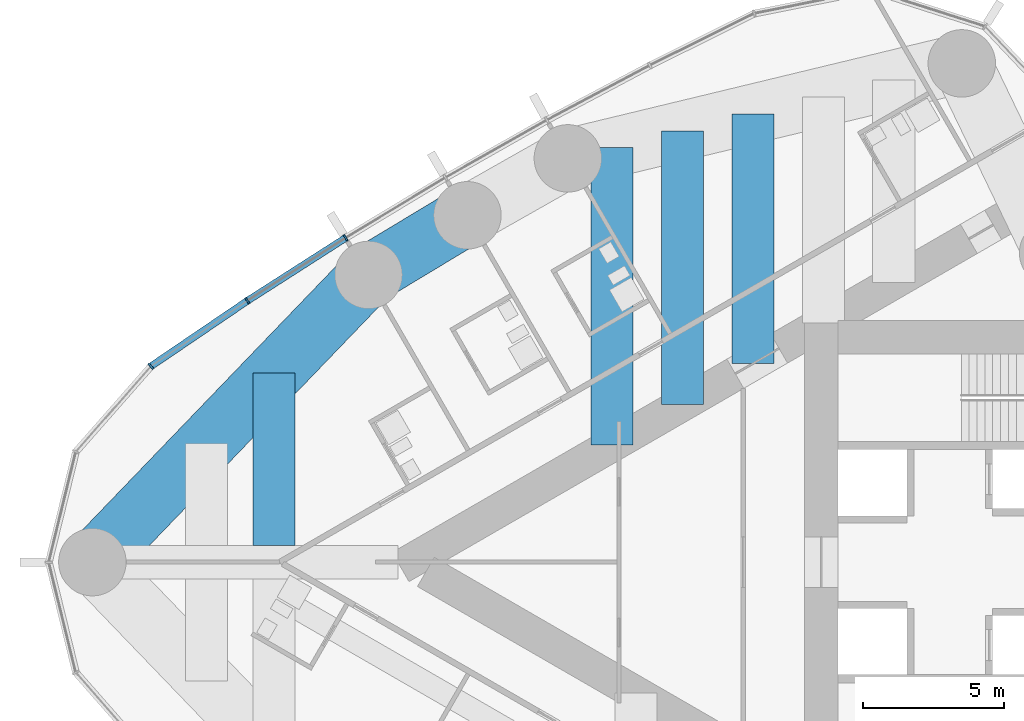
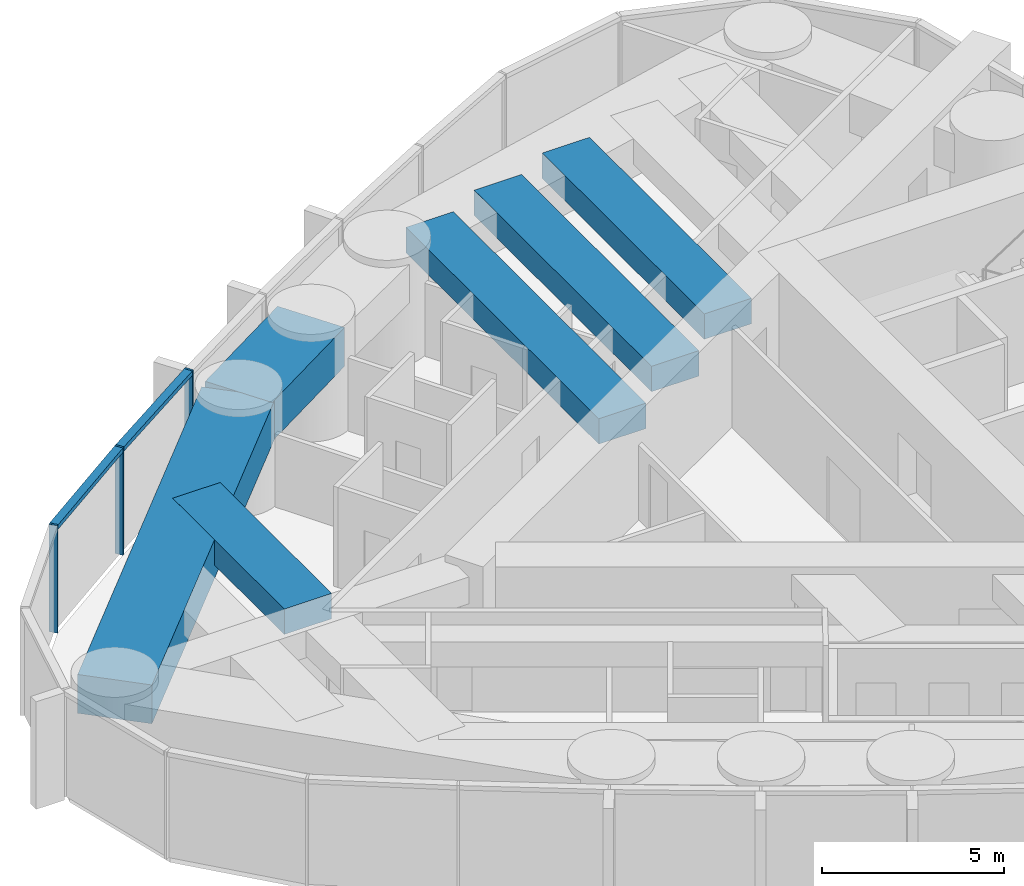
# One storey, part 3 of 23: 6 beams, 5 members, 1 element without a shape of its own.
"""IFC4 building model written with IfcOpenShell, lengths in metres."""

from ifc_helpers import new_model, si_unit, direction, frame, origin, origin_2d, place, context, subcontext, project, spatial, rectangle, extrude, material, material_profile, profile_set, type_object, element, aggregate, save


model = new_model("IFC4")

# Units and contexts
model_context = context("Model", 3, precision=1e-05, world=origin(), true_north=direction((0.0, 1.0)))
body_context = subcontext(model_context, "Body", "Model", "MODEL_VIEW")
ifc_project = project(units=[si_unit("LENGTHUNIT", "METRE"), si_unit("AREAUNIT", "SQUARE_METRE"), si_unit("VOLUMEUNIT", "CUBIC_METRE"), si_unit("PLANEANGLEUNIT", "RADIAN"), si_unit("MASSUNIT", "GRAM", prefix="KILO")], contexts=[model_context])

# Site, building, storey
site_placement = place(None, origin())
site = spatial("IfcSite", under=ifc_project, at=site_placement, CompositionType="ELEMENT")
building_placement = place(site_placement, origin())
building = spatial("IfcBuilding", under=site, at=building_placement, Name="Lancet Gate Hotel", CompositionType="ELEMENT")
storey_placement = place(building_placement, frame((0.0, 0.0, 222.5)))
storey = spatial("IfcBuildingStorey", under=building, at=storey_placement, Name="L59", CompositionType="ELEMENT", Elevation=222.5)

# Curtain wall, members
ifc_material_1 = material(Name="Aluminium curtain wall", Category="aluminium")
curtain_wall_type = type_object("IfcCurtainWallType", Name="Tower unitised curtain wall", PredefinedType="USERDEFINED", material=ifc_material_1)
curtain_wall_placement = place(storey_placement, origin())
curtain_wall = element("IfcCurtainWall", 1, at=curtain_wall_placement, inside=storey, type_object=curtain_wall_type, Name="T1 L59 curtain wall 1", ObjectType="UNITISED CURTAIN WALL", PredefinedType="USERDEFINED")
ifc_material_2 = material(Name="Aluminium mullion", Category="aluminium")
ifc_material_profile_1 = material_profile(ifc_material_2, rectangle(XDim=0.06494140625, YDim=0.25, at=origin_2d()), Name="MULLION 65x250")
ifc_profile_set_1 = profile_set([ifc_material_profile_1], Name="Aluminium mullion")
member_type_1 = type_object("IfcMemberType", Name="Aluminium mullion 65x250", PredefinedType="MULLION", material=ifc_profile_set_1)
member_1_placement = place(storey_placement, frame((-54.225830078125, 11.535400390625, 0.0), z_axis=(0.0, 0.0, 1.0), x_axis=(-0.849342388216, -0.527842313176, 0.0)))
member_1 = element("IfcMember", 2, at=member_1_placement, type_object=member_type_1, Name="T1 L59 curtain wall 1 mullion 9", PredefinedType="MULLION", context=body_context, shape_type="SweptSolid", body=[
    extrude(rectangle(XDim=0.06494140625, YDim=0.25, at=origin_2d()), origin(), (0.0, 0.0, 1.0), 3.60009765625),
])
member_2_placement = place(storey_placement, frame((-57.72021484375, 9.298095703125, 0.0), z_axis=(0.0, 0.0, 1.0), x_axis=(-0.834827178542, -0.550512108829, 0.0)))
member_2 = element("IfcMember", 3, at=member_2_placement, type_object=member_type_1, Name="T1 L59 curtain wall 1 mullion 10", PredefinedType="MULLION", context=body_context, shape_type="SweptSolid", body=[
    extrude(rectangle(XDim=0.06494140625, YDim=0.25, at=origin_2d()), origin(), (0.0, 0.0, 1.0), 3.60009765625),
])
member_3_placement = place(storey_placement, frame((-61.15283203125, 6.967529296875, 0.0), z_axis=(0.0, 0.0, 1.0), x_axis=(-0.750715604757, -0.660625522345, 0.0)))
member_3 = element("IfcMember", 4, at=member_3_placement, type_object=member_type_1, Name="T1 L59 curtain wall 1 mullion 11", PredefinedType="MULLION", context=body_context, shape_type="SweptSolid", body=[
    extrude(rectangle(XDim=0.06494140625, YDim=0.25, at=origin_2d()), origin(), (0.0, 0.0, 1.0), 3.60009765625),
])
ifc_material_3 = material(Name="Aluminium transom", Category="aluminium")
ifc_material_profile_2 = material_profile(ifc_material_3, rectangle(XDim=0.25, YDim=0.14990234375, at=origin_2d()), Name="TRANSOM 250x150")
ifc_profile_set_2 = profile_set([ifc_material_profile_2], Name="Aluminium transom")
member_type_2 = type_object("IfcMemberType", Name="Aluminium transom 250x150", PredefinedType="USERDEFINED", material=ifc_profile_set_2)
member_4_placement = place(storey_placement, frame((-54.253173828125, 11.51806640625, 3.52490234375), z_axis=(-0.842144358733, -0.539252147937, 0.0), x_axis=(0.539252147937, -0.842144358733, 0.0)))
member_4 = element("IfcMember", 5, at=member_4_placement, type_object=member_type_2, Name="T1 L59 curtain wall 1 transom 9", ObjectType="TRANSOM", PredefinedType="USERDEFINED", context=body_context, shape_type="SweptSolid", body=[
    extrude(rectangle(XDim=0.25, YDim=0.14990234375, at=origin_2d()), origin(), (0.0, 0.0, 1.0), 4.084228515625),
])
member_5_placement = place(storey_placement, frame((-57.7470703125, 9.27978515625, 3.52490234375), z_axis=(-0.827348780456, -0.561688521761, 0.0), x_axis=(0.561688521761, -0.827348780456, 0.0)))
member_5 = element("IfcMember", 6, at=member_5_placement, type_object=member_type_2, Name="T1 L59 curtain wall 1 transom 10", ObjectType="TRANSOM", PredefinedType="USERDEFINED", context=body_context, shape_type="SweptSolid", body=[
    extrude(rectangle(XDim=0.25, YDim=0.14990234375, at=origin_2d()), origin(), (0.0, 0.0, 1.0), 4.083984375),
])
aggregate(curtain_wall, [member_1, member_2, member_3, member_4, member_5])

# Beams
ifc_material_4 = material(Name="Concrete C50/60", Category="concrete")
ifc_material_profile_3 = material_profile(ifc_material_4, rectangle(XDim=2.10009765625, YDim=1.300048828125, at=origin_2d()), Name="RC 2100x1300")
ifc_profile_set_3 = profile_set([ifc_material_profile_3], Name="Concrete C50/60")
beam_type_1 = type_object("IfcBeamType", Name="Edge beam RC 2100x1300", PredefinedType="SPANDREL", material=ifc_profile_set_3)
beam_1_placement = place(storey_placement, frame((-49.89013671875, 12.340087890625, 2.699951171875), z_axis=(-0.856358061538, -0.516382484636, 0.0), x_axis=(0.516382484636, -0.856358061538, 0.0)))
element("IfcBeam", 7, at=beam_1_placement, inside=storey, type_object=beam_type_1, Name="T1 edge beam EB1 L59", PredefinedType="SPANDREL", context=body_context, shape_type="SweptSolid", body=[
    extrude(rectangle(XDim=2.10009765625, YDim=1.300048828125, at=origin_2d()), origin(), (0.0, 0.0, 1.0), 4.107666015625),
])
beam_2_placement = place(storey_placement, frame((-53.40771484375, 10.218994140625, 2.699951171875), z_axis=(-0.693134527053, -0.720808245934, 0.0), x_axis=(0.720808245934, -0.693134527053, 0.0)))
element("IfcBeam", 8, at=beam_2_placement, inside=storey, type_object=beam_type_1, Name="T1 edge beam EB1 L59", PredefinedType="SPANDREL", context=body_context, shape_type="SweptSolid", body=[
    extrude(rectangle(XDim=2.10009765625, YDim=1.300048828125, at=origin_2d()), origin(), (0.0, 0.0, 1.0), 14.17724609375),
])
ifc_material_5 = material(Name="Concrete C50/60", Category="concrete")
ifc_material_profile_4 = material_profile(ifc_material_5, rectangle(XDim=1.5, YDim=0.85009765625, at=origin_2d()), Name="RC 1500x850")
ifc_profile_set_4 = profile_set([ifc_material_profile_4], Name="Concrete C50/60")
beam_type_2 = type_object("IfcBeamType", Name="Floor beam RC 1500x850", PredefinedType="BEAM", material=ifc_profile_set_4)
beam_3_placement = place(storey_placement, frame((-39.734130859375, 15.952880859375, 2.925048828125), z_axis=(0.0, -1.0, 0.0), x_axis=(1.0, 0.0, 0.0)))
element("IfcBeam", 9, at=beam_3_placement, inside=storey, type_object=beam_type_2, Name="T1 floor beam F05S L59", PredefinedType="BEAM", context=body_context, shape_type="SweptSolid", body=[
    extrude(rectangle(XDim=1.5, YDim=0.85009765625, at=origin_2d()), origin(), (0.0, 0.0, 1.0), 8.889404296875),
])
beam_4_placement = place(storey_placement, frame((-42.240966796875, 15.348388671875, 2.925048828125), z_axis=(0.0, -1.0, 0.0), x_axis=(1.0, 0.0, 0.0)))
element("IfcBeam", 10, at=beam_4_placement, inside=storey, type_object=beam_type_2, Name="T1 floor beam F06S L59", PredefinedType="BEAM", context=body_context, shape_type="SweptSolid", body=[
    extrude(rectangle(XDim=1.5, YDim=0.85009765625, at=origin_2d()), origin(), (0.0, 0.0, 1.0), 9.732421875),
])
beam_5_placement = place(storey_placement, frame((-44.747802734375, 14.743896484375, 2.925048828125), z_axis=(0.0, -1.0, 0.0), x_axis=(1.0, 0.0, 0.0)))
element("IfcBeam", 11, at=beam_5_placement, inside=storey, type_object=beam_type_2, Name="T1 floor beam F08S L59", PredefinedType="BEAM", context=body_context, shape_type="SweptSolid", body=[
    extrude(rectangle(XDim=1.5, YDim=0.85009765625, at=origin_2d()), origin(), (0.0, 0.0, 1.0), 10.5751953125),
])
beam_6_placement = place(storey_placement, frame((-56.768310546875, 6.72412109375, 2.925048828125), z_axis=(0.0, -1.0, 0.0), x_axis=(1.0, 0.0, 0.0)))
element("IfcBeam", 12, at=beam_6_placement, inside=storey, type_object=beam_type_2, Name="T1 floor beam F09S L59", PredefinedType="BEAM", context=body_context, shape_type="SweptSolid", body=[
    extrude(rectangle(XDim=1.5, YDim=0.85009765625, at=origin_2d()), origin(), (0.0, 0.0, 1.0), 6.1240234375),
])

save(model, "model.ifc")
